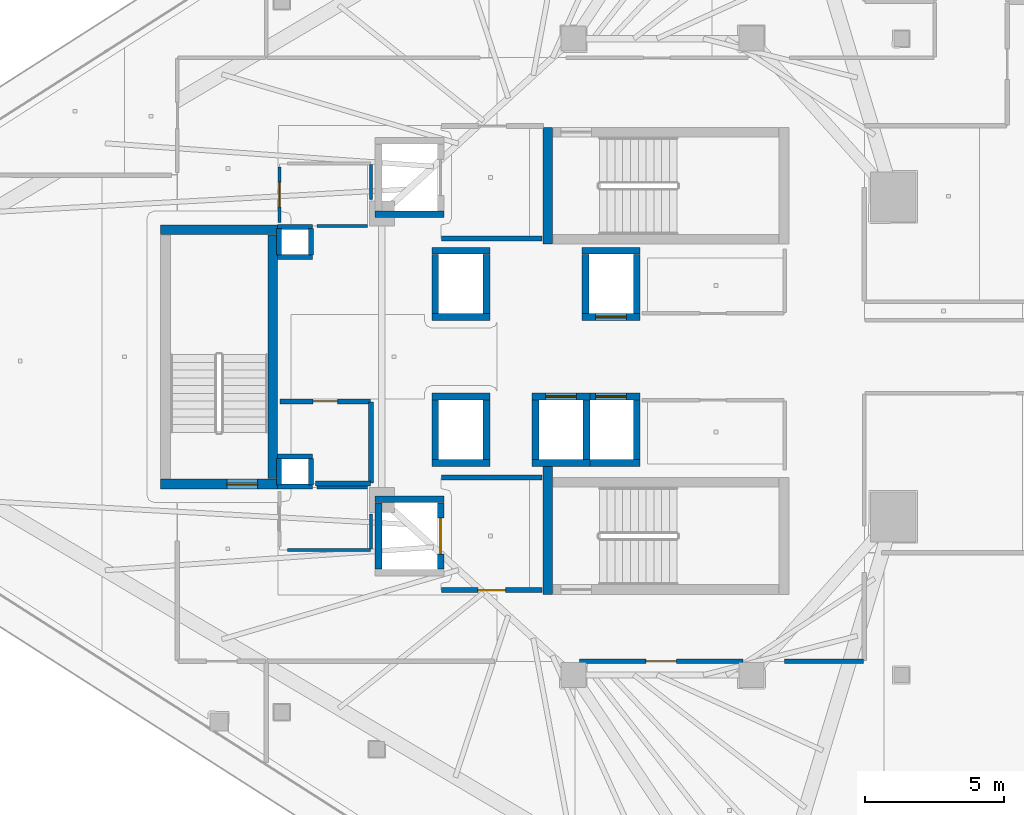
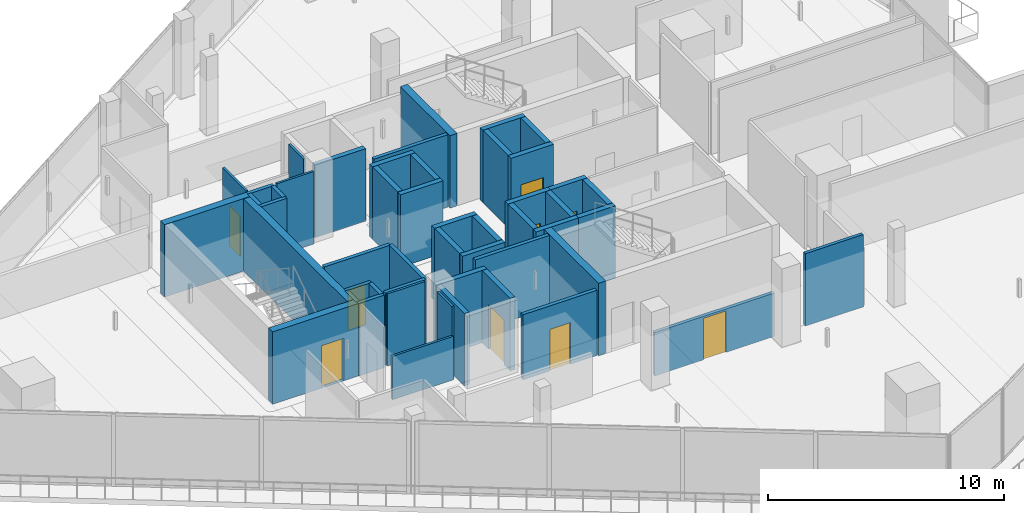
# One storey, part 25 of 34: 50 walls, 9 doors, 9 openings.
"""IFC4 building model written with IfcOpenShell, lengths in metres."""

from ifc_helpers import new_model, si_unit, direction, frame, frame_2d, origin, place, context, subcontext, project, spatial, rectangle, extrude, material, layer, layer_set, type_object, element, fill, save


model = new_model("IFC4")

# Units and contexts
model_context = context("Model", 3, precision=1e-05, world=origin(), true_north=direction((0.0, 1.0)))
body_context = subcontext(model_context, "Body", "Model", "MODEL_VIEW")
ifc_project = project(units=[si_unit("LENGTHUNIT", "METRE"), si_unit("AREAUNIT", "SQUARE_METRE"), si_unit("VOLUMEUNIT", "CUBIC_METRE"), si_unit("PLANEANGLEUNIT", "RADIAN"), si_unit("MASSUNIT", "GRAM", prefix="KILO")], contexts=[model_context])

# Site, building, storey
site_placement = place(None, origin())
site = spatial("IfcSite", under=ifc_project, at=site_placement, CompositionType="ELEMENT")
building_placement = place(site_placement, origin())
building = spatial("IfcBuilding", under=site, at=building_placement, Name="Qorvath Tower", CompositionType="ELEMENT")
storey_placement = place(building_placement, frame((0.0, 0.0, 245.550048828125)))
storey = spatial("IfcBuildingStorey", under=building, at=storey_placement, Name="L57", CompositionType="ELEMENT", Elevation=245.550048828125)

# Walls
ifc_material_1 = material(Name="Gypsum shaftliner on steel studs", Category="steel")
ifc_layer_1 = layer(ifc_material_1, 0.179931640625)
ifc_layer_set_1 = layer_set([ifc_layer_1], Name="FW-LOBBY")
wall_type_1 = type_object("IfcWallType", Name="FW-LOBBY", PredefinedType="PARTITIONING", material=ifc_layer_set_1)
for number, where, z_axis, x_axis, name in (
    (1, (-32.989990234375, 3.594970703125, 0.0), (0.0, 0.0, 1.0), (-1.0, 0.0, 0.0), "MEP Riser Shaft Enclosure Wall N-L57-S"),
    (2, (-34.260009765625, 4.675048828125, 0.0), (0.0, 0.0, 1.0), (1.0, 0.0, 0.0), "MEP Riser Shaft Enclosure Wall N-L57-N"),
):
    element("IfcWall", number, at=place(storey_placement, frame(where, z_axis=z_axis, x_axis=x_axis)), inside=storey, type_object=wall_type_1, Name=name, PredefinedType="PARTITIONING", context=body_context, shape_type="SweptSolid", body=[
        extrude(rectangle(XDim=1.27001953125, YDim=0.179931640625, at=frame_2d((0.635009765625, 0.0))), origin(), (0.0, 0.0, 1.0), 3.75),
    ])
for number, where, z_axis, x_axis, name in (
    (3, (-34.205078125, 3.659912109375, 0.0), (0.0, 0.0, 1.0), (0.0, 1.0, 0.0), "MEP Riser Shaft Enclosure Wall N-L57-W"),
    (4, (-33.044921875, 4.610107421875, 0.0), (0.0, 0.0, 1.0), (0.0, -1.0, 0.0), "MEP Riser Shaft Enclosure Wall N-L57-E"),
):
    element("IfcWall", number, at=place(storey_placement, frame(where, z_axis=z_axis, x_axis=x_axis)), inside=storey, type_object=wall_type_1, Name=name, PredefinedType="PARTITIONING", context=body_context, shape_type="SweptSolid", body=[
        extrude(rectangle(XDim=0.9501953125, YDim=0.179931640625, at=frame_2d((0.47509765625, 0.0))), origin(), (0.0, 0.0, 1.0), 3.75),
    ])
for number, where, z_axis, x_axis, name in (
    (5, (-32.989990234375, -4.675048828125, 0.0), (0.0, 0.0, 1.0), (-1.0, 0.0, 0.0), "MEP Riser Shaft Enclosure Wall S-L57-S"),
    (6, (-34.260009765625, -3.594970703125, 0.0), (0.0, 0.0, 1.0), (1.0, 0.0, 0.0), "MEP Riser Shaft Enclosure Wall S-L57-N"),
):
    element("IfcWall", number, at=place(storey_placement, frame(where, z_axis=z_axis, x_axis=x_axis)), inside=storey, type_object=wall_type_1, Name=name, PredefinedType="PARTITIONING", context=body_context, shape_type="SweptSolid", body=[
        extrude(rectangle(XDim=1.27001953125, YDim=0.179931640625, at=frame_2d((0.635009765625, 0.0))), origin(), (0.0, 0.0, 1.0), 3.75),
    ])
for number, where, z_axis, x_axis, name in (
    (7, (-34.205078125, -4.610107421875, 0.0), (0.0, 0.0, 1.0), (0.0, 1.0, 0.0), "MEP Riser Shaft Enclosure Wall S-L57-W"),
    (8, (-33.044921875, -3.659912109375, 0.0), (0.0, 0.0, 1.0), (0.0, -1.0, 0.0), "MEP Riser Shaft Enclosure Wall S-L57-E"),
):
    element("IfcWall", number, at=place(storey_placement, frame(where, z_axis=z_axis, x_axis=x_axis)), inside=storey, type_object=wall_type_1, Name=name, PredefinedType="PARTITIONING", context=body_context, shape_type="SweptSolid", body=[
        extrude(rectangle(XDim=0.9501953125, YDim=0.179931640625, at=frame_2d((0.47509765625, 0.0))), origin(), (0.0, 0.0, 1.0), 3.75),
    ])
wall_1_placement = place(storey_placement, frame((-28.35498046875, 4.25, 0.0), z_axis=(0.0, 0.0, 1.0), x_axis=(1.0, 0.0, 0.0)))
element("IfcWall", 9, at=wall_1_placement, inside=storey, type_object=wall_type_1, Name="Interior Partition IW-T1-L57-001", PredefinedType="PARTITIONING", context=body_context, shape_type="SweptSolid", body=[
    extrude(rectangle(XDim=3.6220703125, YDim=0.179931640625, at=frame_2d((1.81103515625, 0.0))), origin(), (0.0, 0.0, 1.0), 3.75),
])

# Wall, opening, door
wall_2_placement = place(storey_placement, frame((-28.35498046875, -8.39990234375, 0.0), z_axis=(0.0, 0.0, 1.0), x_axis=(1.0, 0.0, 0.0)))
wall_2 = element("IfcWall", 10, at=wall_2_placement, inside=storey, type_object=wall_type_1, Name="Interior Partition IW-T1-L57-003", PredefinedType="PARTITIONING", context=body_context, shape_type="SweptSolid", body=[
    extrude(rectangle(XDim=3.6220703125, YDim=0.179931640625, at=frame_2d((1.81103515625, 0.0))), origin(), (0.0, 0.0, 1.0), 3.368896484375),
])
opening_1_placement = place(wall_2_placement, frame((1.31103515625, 0.0, 0.0)))
opening_1 = element("IfcOpeningElement", 11, at=opening_1_placement, cuts=wall_2, Name="Opening D-T1-L57-12", PredefinedType="OPENING", context=body_context, shape_type="SweptSolid", body=[
    extrude(rectangle(XDim=1.0, YDim=2.14990234375, at=frame_2d((0.5, 1.074951171875))), frame((0.0, 0.10009765625, 0.0), z_axis=(0.0, -1.0, 0.0), x_axis=(1.0, 0.0, 0.0)), (0.0, 0.0, 1.0), 0.199951171875),
])
ifc_material_2 = material(Name="Painted galvanised hollow metal", Category="steel")
door_type_1 = type_object("IfcDoorType", Name="FD-60", OperationType="NOTDEFINED", PredefinedType="DOOR", material=ifc_material_2)
door_1_placement = place(opening_1_placement, origin())
door_1 = element("IfcDoor", 12, at=door_1_placement, inside=storey, type_object=door_type_1, Name="Lobby Fire Service Elevator South Door D-T1-L57-12", OperationType="SINGLE_SWING_LEFT", OverallHeight=2.14990234375, OverallWidth=1.0, PredefinedType="DOOR", context=body_context, shape_type="SweptSolid", body=[
    extrude(rectangle(XDim=1.0, YDim=2.14990234375, at=frame_2d((0.5, 1.074951171875))), frame((0.0, 0.02490234375, 0.0), z_axis=(0.0, -1.0, 0.0), x_axis=(1.0, 0.0, 0.0)), (0.0, 0.0, 1.0), 0.050048828125),
])
fill(opening_1, door_1)

# Walls
wall_3_placement = place(storey_placement, frame((-24.73291015625, -4.35009765625, 0.0), z_axis=(0.0, 0.0, 1.0), x_axis=(-1.0, 0.0, 0.0)))
element("IfcWall", 13, at=wall_3_placement, inside=storey, type_object=wall_type_1, Name="Interior Partition IW-T1-L57-004", PredefinedType="PARTITIONING", context=body_context, shape_type="SweptSolid", body=[
    extrude(rectangle(XDim=3.6220703125, YDim=0.179931640625, at=frame_2d((1.81103515625, 0.0))), origin(), (0.0, 0.0, 1.0), 3.75),
])
wall_4_placement = place(storey_placement, frame((-32.8798828125, -4.56005859375, 0.0), z_axis=(0.0, 0.0, 1.0), x_axis=(1.0, 0.0, 0.0)))
element("IfcWall", 14, at=wall_4_placement, inside=storey, type_object=wall_type_1, Name="Interior Partition IW-T1-L57-017", PredefinedType="PARTITIONING", context=body_context, shape_type="SweptSolid", body=[
    extrude(rectangle(XDim=1.97509765625, YDim=0.179931640625, at=frame_2d((0.987548828125, 0.0))), origin(), (0.0, 0.0, 1.0), 3.75),
])
wall_5_placement = place(storey_placement, frame((-30.8798828125, -4.53515625, 0.0), z_axis=(0.0, 0.0, 1.0), x_axis=(0.0, 1.0, 0.0)))
element("IfcWall", 15, at=wall_5_placement, inside=storey, type_object=wall_type_1, Name="Interior Partition IW-T1-L57-018", PredefinedType="PARTITIONING", context=body_context, shape_type="SweptSolid", body=[
    extrude(rectangle(XDim=2.91015625, YDim=0.179931640625, at=frame_2d((1.455078125, 0.0))), origin(), (0.0, 0.0, 1.0), 3.75),
])

# Wall, opening, door
wall_6_placement = place(storey_placement, frame((-30.90478515625, -1.60009765625, 0.0), z_axis=(0.0, 0.0, 1.0), x_axis=(-1.0, 0.0, 0.0)))
wall_6 = element("IfcWall", 16, at=wall_6_placement, inside=storey, type_object=wall_type_1, Name="Interior Partition IW-T1-L57-019", PredefinedType="PARTITIONING", context=body_context, shape_type="SweptSolid", body=[
    extrude(rectangle(XDim=3.25, YDim=0.179931640625, at=frame_2d((1.625, 0.0))), origin(), (0.0, 0.0, 1.0), 3.75),
])
opening_2_placement = place(wall_6_placement, frame((1.18505859375, 0.0, 0.0)))
opening_2 = element("IfcOpeningElement", 17, at=opening_2_placement, cuts=wall_6, Name="Opening D-T1-L57-03", PredefinedType="OPENING", context=body_context, shape_type="SweptSolid", body=[
    extrude(rectangle(XDim=0.8798828125, YDim=2.10009765625, at=frame_2d((0.43994140625, 1.050048828125))), frame((0.0, 0.10009765625, 0.0), z_axis=(0.0, -1.0, 0.0), x_axis=(1.0, 0.0, 0.0)), (0.0, 0.0, 1.0), 0.199951171875),
])
ifc_material_3 = material(Name="Painted galvanised hollow metal", Category="steel")
door_type_2 = type_object("IfcDoorType", Name="FD-60N", OperationType="NOTDEFINED", PredefinedType="DOOR", material=ifc_material_3)
door_2_placement = place(opening_2_placement, origin())
door_2 = element("IfcDoor", 18, at=door_2_placement, inside=storey, type_object=door_type_2, Name="Core electrical and cleaner room L57 Door D-T1-L57-03", OperationType="SINGLE_SWING_RIGHT", OverallHeight=2.10009765625, OverallWidth=0.8798828125, PredefinedType="DOOR", context=body_context, shape_type="SweptSolid", body=[
    extrude(rectangle(XDim=0.8798828125, YDim=2.10009765625, at=frame_2d((0.43994140625, 1.050048828125))), frame((0.0, 0.02490234375, 0.0), z_axis=(0.0, -1.0, 0.0), x_axis=(1.0, 0.0, 0.0)), (0.0, 0.0, 1.0), 0.050048828125),
])
fill(opening_2, door_2)

# Wall
ifc_material_4 = material(Name="Double acoustic gypsum board on steel studs", Category="steel")
ifc_layer_2 = layer(ifc_material_4, 0.159912109375)
ifc_layer_set_2 = layer_set([ifc_layer_2], Name="IW-ACOUSTIC-160")
wall_type_2 = type_object("IfcWallType", Name="IW-ACOUSTIC-160", PredefinedType="PARTITIONING", material=ifc_layer_set_2)
wall_7_placement = place(storey_placement, frame((-13.1669921875, -10.9580078125, 0.0), z_axis=(0.0, 0.0, 1.0), x_axis=(-1.0, 0.0, 0.0)))
element("IfcWall", 19, at=wall_7_placement, inside=storey, type_object=wall_type_2, Name="Interior Partition IW-T1-L57-029", PredefinedType="PARTITIONING", context=body_context, shape_type="SweptSolid", body=[
    extrude(rectangle(XDim=2.841552734375, YDim=0.159912109375, at=frame_2d((1.4208984375, 0.0))), origin(), (0.0, 0.0, 1.0), 3.75),
])

# Wall, opening, door
wall_8_placement = place(storey_placement, frame((-17.509033203125, -10.9580078125, 0.0), z_axis=(0.0, 0.0, 1.0), x_axis=(-1.0, 0.0, 0.0)))
wall_8 = element("IfcWall", 20, at=wall_8_placement, inside=storey, type_object=wall_type_2, Name="Interior Partition IW-T1-L57-030", PredefinedType="PARTITIONING", context=body_context, shape_type="SweptSolid", body=[
    extrude(rectangle(XDim=5.87890625, YDim=0.159912109375, at=frame_2d((2.939453125, 0.0))), origin(), (0.0, 0.0, 1.0), 2.25),
])
opening_3_placement = place(wall_8_placement, frame((2.389404296875, 0.0, 0.0)))
opening_3 = element("IfcOpeningElement", 21, at=opening_3_placement, cuts=wall_8, Name="Opening D-T1-L57-05", PredefinedType="OPENING", context=body_context, shape_type="SweptSolid", body=[
    extrude(rectangle(XDim=1.10009765625, YDim=2.14990234375, at=frame_2d((0.550048828125, 1.074951171875))), frame((0.0, 0.08984375, 0.0), z_axis=(0.0, -1.0, 0.0), x_axis=(1.0, 0.0, 0.0)), (0.0, 0.0, 1.0), 0.179931640625),
])
ifc_material_5 = material(Name="Anodised aluminium acoustic framed glass", Category="aluminium")
door_type_3 = type_object("IfcDoorType", Name="D-03", OperationType="NOTDEFINED", PredefinedType="DOOR", material=ifc_material_5)
door_3_placement = place(opening_3_placement, origin())
door_3 = element("IfcDoor", 22, at=door_3_placement, inside=storey, type_object=door_type_3, Name="L57-02 Client Services Office Door D-T1-L57-05", OperationType="SINGLE_SWING_RIGHT", OverallHeight=2.14990234375, OverallWidth=1.10009765625, PredefinedType="DOOR", context=body_context, shape_type="SweptSolid", body=[
    extrude(rectangle(XDim=1.10009765625, YDim=2.14990234375, at=frame_2d((0.550048828125, 1.074951171875))), frame((0.0, 0.02490234375, 0.0), z_axis=(0.0, -1.0, 0.0), x_axis=(1.0, 0.0, 0.0)), (0.0, 0.0, 1.0), 0.050048828125),
])
fill(opening_3, door_3)

ifc_material_6 = material(Name="Moisture-resistant cement board on metal studs", Category="gypsum")
ifc_layer_3 = layer(ifc_material_6, 0.110107421875)
ifc_layer_set_3 = layer_set([ifc_layer_3], Name="IW-WC-110")
wall_type_3 = type_object("IfcWallType", Name="IW-WC-110", PredefinedType="PARTITIONING", material=ifc_layer_set_3)
wall_9_placement = place(storey_placement, frame((-34.179931640625, 6.8251953125, 0.0), z_axis=(0.0, 0.0, 1.0), x_axis=(0.0, -1.0, 0.0)))
wall_9 = element("IfcWall", 23, at=wall_9_placement, inside=storey, type_object=wall_type_3, Name="Interior Partition IW-T1-L57-005", PredefinedType="PARTITIONING", context=body_context, shape_type="SweptSolid", body=[
    extrude(rectangle(XDim=1.985107421875, YDim=0.110107421875, at=frame_2d((0.99267578125, 0.0))), origin(), (0.0, 0.0, 1.0), 3.75),
])
opening_4_placement = place(wall_9_placement, frame((0.552490234375, 0.0, 0.0)))
opening_4 = element("IfcOpeningElement", 24, at=opening_4_placement, cuts=wall_9, Name="Opening D-T1-L57-13", PredefinedType="OPENING", context=body_context, shape_type="SweptSolid", body=[
    extrude(rectangle(XDim=0.8798828125, YDim=2.10009765625, at=frame_2d((0.43994140625, 1.050048828125))), frame((0.0, 0.06494140625, 0.0), z_axis=(0.0, -1.0, 0.0), x_axis=(1.0, 0.0, 0.0)), (0.0, 0.0, 1.0), 0.130126953125),
])
ifc_material_7 = material(Name="Solid-core oak with acoustic drop seal", Category="wood")
door_type_4 = type_object("IfcDoorType", Name="D-02", OperationType="NOTDEFINED", PredefinedType="DOOR", material=ifc_material_7)
door_4_placement = place(opening_4_placement, origin())
door_4 = element("IfcDoor", 25, at=door_4_placement, inside=storey, type_object=door_type_4, Name="Accessible WC North L57 Door D-T1-L57-13", OperationType="SINGLE_SWING_RIGHT", OverallHeight=2.10009765625, OverallWidth=0.8798828125, PredefinedType="DOOR", context=body_context, shape_type="SweptSolid", body=[
    extrude(rectangle(XDim=0.8798828125, YDim=2.10009765625, at=frame_2d((0.43994140625, 1.050048828125))), frame((0.0, 0.02490234375, 0.0), z_axis=(0.0, -1.0, 0.0), x_axis=(1.0, 0.0, 0.0)), (0.0, 0.0, 1.0), 0.050048828125),
])
fill(opening_4, door_4)

# Walls
wall_10_placement = place(storey_placement, frame((-32.827392578125, 4.699951171875, 0.0), z_axis=(0.0, 0.0, 1.0), x_axis=(1.0, 0.0, 0.0)))
element("IfcWall", 26, at=wall_10_placement, inside=storey, type_object=wall_type_3, Name="Interior Partition IW-T1-L57-006", PredefinedType="PARTITIONING", context=body_context, shape_type="SweptSolid", body=[
    extrude(rectangle(XDim=1.8125, YDim=0.110107421875, at=frame_2d((0.90625, 0.0))), origin(), (0.0, 0.0, 1.0), 3.75),
])
wall_11_placement = place(storey_placement, frame((-30.8798828125, 5.6650390625, 0.0), z_axis=(0.0, 0.0, 1.0), x_axis=(0.0, 1.0, 0.0)))
element("IfcWall", 27, at=wall_11_placement, inside=storey, type_object=wall_type_3, Name="Interior Partition IW-T1-L57-007", PredefinedType="PARTITIONING", context=body_context, shape_type="SweptSolid", body=[
    extrude(rectangle(XDim=1.260009765625, YDim=0.110107421875, at=frame_2d((0.6298828125, 0.0))), origin(), (0.0, 0.0, 1.0), 3.75),
])
wall_12_placement = place(storey_placement, frame((-33.892333984375, -6.949951171875, 0.0), z_axis=(0.0, 0.0, 1.0), x_axis=(1.0, 0.0, 0.0)))
element("IfcWall", 28, at=wall_12_placement, inside=storey, type_object=wall_type_3, Name="Interior Partition IW-T1-L57-009", PredefinedType="PARTITIONING", context=body_context, shape_type="SweptSolid", body=[
    extrude(rectangle(XDim=2.987548828125, YDim=0.110107421875, at=frame_2d((1.49365234375, 0.0))), origin(), (0.0, 0.0, 1.0), 2.25),
])
wall_13_placement = place(storey_placement, frame((-30.8798828125, -6.925048828125, 0.0), z_axis=(0.0, 0.0, 1.0), x_axis=(0.0, 1.0, 0.0)))
element("IfcWall", 29, at=wall_13_placement, inside=storey, type_object=wall_type_3, Name="Interior Partition IW-T1-L57-010", PredefinedType="PARTITIONING", context=body_context, shape_type="SweptSolid", body=[
    extrude(rectangle(XDim=1.260009765625, YDim=0.110107421875, at=frame_2d((0.6298828125, 0.0))), origin(), (0.0, 0.0, 1.0), 3.75),
])
wall_14_placement = place(storey_placement, frame((-31.014892578125, -4.699951171875, 0.0), z_axis=(0.0, 0.0, 1.0), x_axis=(-1.0, 0.0, 0.0)))
element("IfcWall", 30, at=wall_14_placement, inside=storey, type_object=wall_type_3, Name="Interior Partition IW-T1-L57-011", PredefinedType="PARTITIONING", context=body_context, shape_type="SweptSolid", body=[
    extrude(rectangle(XDim=1.8125, YDim=0.110107421875, at=frame_2d((0.90625, 0.0))), origin(), (0.0, 0.0, 1.0), 3.75),
])
ifc_material_8 = material(Name="Concrete C60/75", Category="concrete")
ifc_layer_4 = layer(ifc_material_8, 0.260009765625)
ifc_layer_set_4 = layer_set([ifc_layer_4], Name="SW-SHAFT")
wall_type_4 = type_object("IfcWallType", Name="SW-SHAFT", PredefinedType="SHEAR", material=ifc_layer_set_4)
for number, where, z_axis, x_axis, name in (
    (31, (-28.260009765625, 5.1298828125, 0.0), (0.0, 0.0, 1.0), (-1.0, 0.0, 0.0), "Hoistway Wall FSAE-1 L57 S"),
    (32, (-30.739990234375, -5.1298828125, 0.0), (0.0, 0.0, 1.0), (1.0, 0.0, 0.0), "Hoistway Wall FSAE-2 L57 N"),
):
    element("IfcWall", number, at=place(storey_placement, frame(where, z_axis=z_axis, x_axis=x_axis)), inside=storey, type_object=wall_type_4, Name=name, PredefinedType="SHEAR", context=body_context, shape_type="SweptSolid", body=[
        extrude(rectangle(XDim=2.47998046875, YDim=0.239990234375, at=frame_2d((1.239990234375, 0.0))), origin(), (0.0, 0.0, 1.0), 3.75),
    ])
wall_15_placement = place(storey_placement, frame((-30.6201171875, -7.637939453125, 0.0), z_axis=(0.0, 0.0, 1.0), x_axis=(0.0, 1.0, 0.0)))
element("IfcWall", 33, at=wall_15_placement, inside=storey, type_object=wall_type_4, Name="Hoistway Wall FSAE-2 L57 W", PredefinedType="SHEAR", context=body_context, shape_type="SweptSolid", body=[
    extrude(rectangle(XDim=2.3759765625, YDim=0.239990234375, at=frame_2d((1.18798828125, 0.0))), origin(), (0.0, 0.0, 1.0), 3.75),
])

# Wall, opening, door
wall_16_placement = place(storey_placement, frame((-28.3798828125, -5.261962890625, 0.0), z_axis=(0.0, 0.0, 1.0), x_axis=(0.0, -1.0, 0.0)))
wall_16 = element("IfcWall", 34, at=wall_16_placement, inside=storey, type_object=wall_type_4, Name="Hoistway Wall FSAE-2 L57 E", PredefinedType="SHEAR", context=body_context, shape_type="SweptSolid", body=[
    extrude(rectangle(XDim=2.3759765625, YDim=0.239990234375, at=frame_2d((1.18798828125, 0.0))), origin(), (0.0, 0.0, 1.0), 3.75),
])
opening_5_placement = place(wall_16_placement, frame((0.5380859375, 0.0, 0.0)))
opening_5 = element("IfcOpeningElement", 35, at=opening_5_placement, cuts=wall_16, Name="Opening LD-FSAE-2-L57", PredefinedType="OPENING", context=body_context, shape_type="SweptSolid", body=[
    extrude(rectangle(XDim=1.300048828125, YDim=2.300048828125, at=frame_2d((0.64990234375, 1.14990234375))), frame((0.0, 0.1298828125, 0.0), z_axis=(0.0, -1.0, 0.0), x_axis=(1.0, 0.0, 0.0)), (0.0, 0.0, 1.0), 0.260009765625),
])
ifc_material_9 = material(Name="Brushed stainless steel AISI 316", Category="steel")
door_type_5 = type_object("IfcDoorType", Name="LD-02", OperationType="NOTDEFINED", PredefinedType="DOOR", material=ifc_material_9)
door_5_placement = place(opening_5_placement, origin())
door_5 = element("IfcDoor", 36, at=door_5_placement, inside=storey, type_object=door_type_5, Name="Elevator Landing Sliding Door LD-FSAE-2-L57", OperationType="DOUBLE_DOOR_SLIDING", OverallHeight=2.300048828125, OverallWidth=1.300048828125, PredefinedType="DOOR", context=body_context, shape_type="SweptSolid", body=[
    extrude(rectangle(XDim=1.300048828125, YDim=2.300048828125, at=frame_2d((0.64990234375, 1.14990234375))), frame((0.0, 0.02490234375, 0.0), z_axis=(0.0, -1.0, 0.0), x_axis=(1.0, 0.0, 0.0)), (0.0, 0.0, 1.0), 0.050048828125),
])
fill(opening_5, door_5)

# Walls
for number, where, z_axis, x_axis, name in (
    (37, (-26.610107421875, 1.429931640625, 0.0), (0.0, 0.0, 1.0), (-1.0, 0.0, 0.0), "Hoistway Wall PS-1 L57 S"),
    (38, (-28.68994140625, 3.820068359375, 0.0), (0.0, 0.0, 1.0), (1.0, 0.0, 0.0), "Hoistway Wall PS-1 L57 N"),
):
    element("IfcWall", number, at=place(storey_placement, frame(where, z_axis=z_axis, x_axis=x_axis)), inside=storey, type_object=wall_type_4, Name=name, PredefinedType="SHEAR", context=body_context, shape_type="SweptSolid", body=[
        extrude(rectangle(XDim=2.079833984375, YDim=0.239990234375, at=frame_2d((1.0400390625, 0.0))), origin(), (0.0, 0.0, 1.0), 3.75),
    ])
for number, where, z_axis, x_axis, name in (
    (39, (-28.570068359375, 1.56201171875, 0.0), (0.0, 0.0, 1.0), (0.0, 1.0, 0.0), "Hoistway Wall PS-1 L57 W"),
    (40, (-26.72998046875, 3.68798828125, 0.0), (0.0, 0.0, 1.0), (0.0, -1.0, 0.0), "Hoistway Wall PS-1 L57 E"),
):
    element("IfcWall", number, at=place(storey_placement, frame(where, z_axis=z_axis, x_axis=x_axis)), inside=storey, type_object=wall_type_4, Name=name, PredefinedType="SHEAR", context=body_context, shape_type="SweptSolid", body=[
        extrude(rectangle(XDim=2.1259765625, YDim=0.239990234375, at=frame_2d((1.06298828125, 0.0))), origin(), (0.0, 0.0, 1.0), 3.75),
    ])

# Wall, opening, door
wall_17_placement = place(storey_placement, frame((-21.2099609375, 1.429931640625, 0.0), z_axis=(0.0, 0.0, 1.0), x_axis=(-1.0, 0.0, 0.0)))
wall_17 = element("IfcWall", 41, at=wall_17_placement, inside=storey, type_object=wall_type_4, Name="Hoistway Wall PU-1 L57 S", PredefinedType="SHEAR", context=body_context, shape_type="SweptSolid", body=[
    extrude(rectangle(XDim=2.080078125, YDim=0.239990234375, at=frame_2d((1.0400390625, 0.0))), origin(), (0.0, 0.0, 1.0), 3.75),
])
opening_6_placement = place(wall_17_placement, frame((0.489990234375, 0.0, 0.0)))
opening_6 = element("IfcOpeningElement", 42, at=opening_6_placement, cuts=wall_17, Name="Opening LD-PU-1-L57", PredefinedType="OPENING", context=body_context, shape_type="SweptSolid", body=[
    extrude(rectangle(XDim=1.10009765625, YDim=2.199951171875, at=frame_2d((0.550048828125, 1.10009765625))), frame((0.0, 0.1298828125, 0.0), z_axis=(0.0, -1.0, 0.0), x_axis=(1.0, 0.0, 0.0)), (0.0, 0.0, 1.0), 0.260009765625),
])
ifc_material_10 = material(Name="Brushed stainless steel AISI 316", Category="steel")
door_type_6 = type_object("IfcDoorType", Name="LD-01", OperationType="NOTDEFINED", PredefinedType="DOOR", material=ifc_material_10)
door_6_placement = place(opening_6_placement, origin())
door_6 = element("IfcDoor", 43, at=door_6_placement, inside=storey, type_object=door_type_6, Name="Elevator Landing Sliding Door LD-PU-1-L57", OperationType="DOUBLE_DOOR_SLIDING", OverallHeight=2.199951171875, OverallWidth=1.10009765625, PredefinedType="DOOR", context=body_context, shape_type="SweptSolid", body=[
    extrude(rectangle(XDim=1.10009765625, YDim=2.199951171875, at=frame_2d((0.550048828125, 1.10009765625))), frame((0.0, 0.02490234375, 0.0), z_axis=(0.0, -1.0, 0.0), x_axis=(1.0, 0.0, 0.0)), (0.0, 0.0, 1.0), 0.050048828125),
])
fill(opening_6, door_6)

# Walls
wall_18_placement = place(storey_placement, frame((-23.2900390625, 3.820068359375, 0.0), z_axis=(0.0, 0.0, 1.0), x_axis=(1.0, 0.0, 0.0)))
element("IfcWall", 44, at=wall_18_placement, inside=storey, type_object=wall_type_4, Name="Hoistway Wall PU-1 L57 N", PredefinedType="SHEAR", context=body_context, shape_type="SweptSolid", body=[
    extrude(rectangle(XDim=2.080078125, YDim=0.239990234375, at=frame_2d((1.0400390625, 0.0))), origin(), (0.0, 0.0, 1.0), 3.75),
])
for number, where, z_axis, x_axis, name in (
    (45, (-23.169921875, 1.56201171875, 0.0), (0.0, 0.0, 1.0), (0.0, 1.0, 0.0), "Hoistway Wall PU-1 L57 W"),
    (46, (-21.330078125, 3.68798828125, 0.0), (0.0, 0.0, 1.0), (0.0, -1.0, 0.0), "Hoistway Wall PU-1 L57 E"),
):
    element("IfcWall", number, at=place(storey_placement, frame(where, z_axis=z_axis, x_axis=x_axis)), inside=storey, type_object=wall_type_4, Name=name, PredefinedType="SHEAR", context=body_context, shape_type="SweptSolid", body=[
        extrude(rectangle(XDim=2.1259765625, YDim=0.239990234375, at=frame_2d((1.06298828125, 0.0))), origin(), (0.0, 0.0, 1.0), 3.75),
    ])
for number, where, z_axis, x_axis, name in (
    (47, (-26.610107421875, -3.820068359375, 0.0), (0.0, 0.0, 1.0), (-1.0, 0.0, 0.0), "Hoistway Wall PS-2 L57 S"),
    (48, (-28.68994140625, -1.429931640625, 0.0), (0.0, 0.0, 1.0), (1.0, 0.0, 0.0), "Hoistway Wall PS-2 L57 N"),
):
    element("IfcWall", number, at=place(storey_placement, frame(where, z_axis=z_axis, x_axis=x_axis)), inside=storey, type_object=wall_type_4, Name=name, PredefinedType="SHEAR", context=body_context, shape_type="SweptSolid", body=[
        extrude(rectangle(XDim=2.079833984375, YDim=0.239990234375, at=frame_2d((1.0400390625, 0.0))), origin(), (0.0, 0.0, 1.0), 3.75),
    ])
for number, where, z_axis, x_axis, name in (
    (49, (-28.570068359375, -3.68798828125, 0.0), (0.0, 0.0, 1.0), (0.0, 1.0, 0.0), "Hoistway Wall PS-2 L57 W"),
    (50, (-26.72998046875, -1.56201171875, 0.0), (0.0, 0.0, 1.0), (0.0, -1.0, 0.0), "Hoistway Wall PS-2 L57 E"),
):
    element("IfcWall", number, at=place(storey_placement, frame(where, z_axis=z_axis, x_axis=x_axis)), inside=storey, type_object=wall_type_4, Name=name, PredefinedType="SHEAR", context=body_context, shape_type="SweptSolid", body=[
        extrude(rectangle(XDim=2.1259765625, YDim=0.239990234375, at=frame_2d((1.06298828125, 0.0))), origin(), (0.0, 0.0, 1.0), 3.75),
    ])
wall_19_placement = place(storey_placement, frame((-23.010009765625, -3.820068359375, 0.0), z_axis=(0.0, 0.0, 1.0), x_axis=(-1.0, 0.0, 0.0)))
element("IfcWall", 51, at=wall_19_placement, inside=storey, type_object=wall_type_4, Name="Hoistway Wall PU-2 L57 S", PredefinedType="SHEAR", context=body_context, shape_type="SweptSolid", body=[
    extrude(rectangle(XDim=2.080078125, YDim=0.239990234375, at=frame_2d((1.0400390625, 0.0))), origin(), (0.0, 0.0, 1.0), 3.75),
])

# Wall, opening, door
wall_20_placement = place(storey_placement, frame((-25.090087890625, -1.429931640625, 0.0), z_axis=(0.0, 0.0, 1.0), x_axis=(1.0, 0.0, 0.0)))
wall_20 = element("IfcWall", 52, at=wall_20_placement, inside=storey, type_object=wall_type_4, Name="Hoistway Wall PU-2 L57 N", PredefinedType="SHEAR", context=body_context, shape_type="SweptSolid", body=[
    extrude(rectangle(XDim=2.080078125, YDim=0.239990234375, at=frame_2d((1.0400390625, 0.0))), origin(), (0.0, 0.0, 1.0), 3.75),
])
opening_7_placement = place(wall_20_placement, frame((0.489990234375, 0.0, 0.0)))
opening_7 = element("IfcOpeningElement", 53, at=opening_7_placement, cuts=wall_20, Name="Opening LD-PU-2-L57", PredefinedType="OPENING", context=body_context, shape_type="SweptSolid", body=[
    extrude(rectangle(XDim=1.10009765625, YDim=2.199951171875, at=frame_2d((0.550048828125, 1.10009765625))), frame((0.0, 0.1298828125, 0.0), z_axis=(0.0, -1.0, 0.0), x_axis=(1.0, 0.0, 0.0)), (0.0, 0.0, 1.0), 0.260009765625),
])
door_7_placement = place(opening_7_placement, origin())
door_7 = element("IfcDoor", 54, at=door_7_placement, inside=storey, type_object=door_type_6, Name="Elevator Landing Sliding Door LD-PU-2-L57", OperationType="DOUBLE_DOOR_SLIDING", OverallHeight=2.199951171875, OverallWidth=1.10009765625, PredefinedType="DOOR", context=body_context, shape_type="SweptSolid", body=[
    extrude(rectangle(XDim=1.10009765625, YDim=2.199951171875, at=frame_2d((0.550048828125, 1.10009765625))), frame((0.0, 0.02490234375, 0.0), z_axis=(0.0, -1.0, 0.0), x_axis=(1.0, 0.0, 0.0)), (0.0, 0.0, 1.0), 0.050048828125),
])
fill(opening_7, door_7)

# Walls
for number, where, z_axis, x_axis, name in (
    (55, (-24.969970703125, -3.68798828125, 0.0), (0.0, 0.0, 1.0), (0.0, 1.0, 0.0), "Hoistway Wall PU-2 L57 W"),
    (56, (-23.1298828125, -1.56201171875, 0.0), (0.0, 0.0, 1.0), (0.0, -1.0, 0.0), "Hoistway Wall PU-2 L57 E"),
):
    element("IfcWall", number, at=place(storey_placement, frame(where, z_axis=z_axis, x_axis=x_axis)), inside=storey, type_object=wall_type_4, Name=name, PredefinedType="SHEAR", context=body_context, shape_type="SweptSolid", body=[
        extrude(rectangle(XDim=2.1259765625, YDim=0.239990234375, at=frame_2d((1.06298828125, 0.0))), origin(), (0.0, 0.0, 1.0), 3.75),
    ])
wall_21_placement = place(storey_placement, frame((-21.2099609375, -3.820068359375, 0.0), z_axis=(0.0, 0.0, 1.0), x_axis=(-1.0, 0.0, 0.0)))
element("IfcWall", 57, at=wall_21_placement, inside=storey, type_object=wall_type_4, Name="Hoistway Wall PU-3 L57 S", PredefinedType="SHEAR", context=body_context, shape_type="SweptSolid", body=[
    extrude(rectangle(XDim=1.800048828125, YDim=0.239990234375, at=frame_2d((0.89990234375, 0.0))), origin(), (0.0, 0.0, 1.0), 3.75),
])

# Wall, opening, door
wall_22_placement = place(storey_placement, frame((-23.010009765625, -1.429931640625, 0.0), z_axis=(0.0, 0.0, 1.0), x_axis=(1.0, 0.0, 0.0)))
wall_22 = element("IfcWall", 58, at=wall_22_placement, inside=storey, type_object=wall_type_4, Name="Hoistway Wall PU-3 L57 N", PredefinedType="SHEAR", context=body_context, shape_type="SweptSolid", body=[
    extrude(rectangle(XDim=1.800048828125, YDim=0.239990234375, at=frame_2d((0.89990234375, 0.0))), origin(), (0.0, 0.0, 1.0), 3.75),
])
opening_8_placement = place(wall_22_placement, frame((0.2099609375, 0.0, 0.0)))
opening_8 = element("IfcOpeningElement", 59, at=opening_8_placement, cuts=wall_22, Name="Opening LD-PU-3-L57", PredefinedType="OPENING", context=body_context, shape_type="SweptSolid", body=[
    extrude(rectangle(XDim=1.10009765625, YDim=2.199951171875, at=frame_2d((0.550048828125, 1.10009765625))), frame((0.0, 0.1298828125, 0.0), z_axis=(0.0, -1.0, 0.0), x_axis=(1.0, 0.0, 0.0)), (0.0, 0.0, 1.0), 0.260009765625),
])
door_8_placement = place(opening_8_placement, origin())
door_8 = element("IfcDoor", 60, at=door_8_placement, inside=storey, type_object=door_type_6, Name="Elevator Landing Sliding Door LD-PU-3-L57", OperationType="DOUBLE_DOOR_SLIDING", OverallHeight=2.199951171875, OverallWidth=1.10009765625, PredefinedType="DOOR", context=body_context, shape_type="SweptSolid", body=[
    extrude(rectangle(XDim=1.10009765625, YDim=2.199951171875, at=frame_2d((0.550048828125, 1.10009765625))), frame((0.0, 0.02490234375, 0.0), z_axis=(0.0, -1.0, 0.0), x_axis=(1.0, 0.0, 0.0)), (0.0, 0.0, 1.0), 0.050048828125),
])
fill(opening_8, door_8)

# Walls
wall_23_placement = place(storey_placement, frame((-21.330078125, -1.56201171875, 0.0), z_axis=(0.0, 0.0, 1.0), x_axis=(0.0, -1.0, 0.0)))
element("IfcWall", 61, at=wall_23_placement, inside=storey, type_object=wall_type_4, Name="Hoistway Wall PU-3 L57 E", PredefinedType="SHEAR", context=body_context, shape_type="SweptSolid", body=[
    extrude(rectangle(XDim=2.1259765625, YDim=0.239990234375, at=frame_2d((1.06298828125, 0.0))), origin(), (0.0, 0.0, 1.0), 3.75),
])
ifc_material_11 = material(Name="Concrete C60/75", Category="concrete")
ifc_layer_5 = layer(ifc_material_11, 0.35009765625)
ifc_layer_set_5 = layer_set([ifc_layer_5], Name="SW-STAIR")
wall_type_5 = type_object("IfcWallType", Name="SW-STAIR", PredefinedType="SHEAR", material=ifc_layer_set_5)
wall_24_placement = place(storey_placement, frame((-24.52490234375, 8.260009765625, 0.0), z_axis=(0.0, 0.0, 1.0), x_axis=(0.0, -1.0, 0.0)))
element("IfcWall", 62, at=wall_24_placement, inside=storey, type_object=wall_type_5, Name="Stair TS1 Shear Wall L57 NEAR", PredefinedType="SHEAR", context=body_context, shape_type="SweptSolid", body=[
    extrude(rectangle(XDim=4.2099609375, YDim=0.35009765625, at=frame_2d((2.10498046875, 0.0))), origin(), (0.0, 0.0, 1.0), 3.75),
])
wall_25_placement = place(storey_placement, frame((-24.52490234375, -3.93994140625, 0.0), z_axis=(0.0, 0.0, 1.0), x_axis=(0.0, -1.0, 0.0)))
element("IfcWall", 63, at=wall_25_placement, inside=storey, type_object=wall_type_5, Name="Stair TS2 Shear Wall L57 NEAR", PredefinedType="SHEAR", context=body_context, shape_type="SweptSolid", body=[
    extrude(rectangle(XDim=4.610107421875, YDim=0.35009765625, at=frame_2d((2.30517578125, 0.0))), origin(), (0.0, 0.0, 1.0), 3.75),
])

# Wall, opening, door
wall_26_placement = place(storey_placement, frame((-38.4599609375, -4.574951171875, 0.0), z_axis=(0.0, 0.0, 1.0), x_axis=(1.0, 0.0, 0.0)))
wall_26 = element("IfcWall", 64, at=wall_26_placement, inside=storey, type_object=wall_type_5, Name="Stair TS3 Shear Wall L57 NEAR", PredefinedType="SHEAR", context=body_context, shape_type="SweptSolid", body=[
    extrude(rectangle(XDim=4.2099609375, YDim=0.35009765625, at=frame_2d((2.10498046875, 0.0))), origin(), (0.0, 0.0, 1.0), 3.75),
])
opening_9_placement = place(wall_26_placement, frame((2.389892578125, 0.0, 0.0)))
opening_9 = element("IfcOpeningElement", 65, at=opening_9_placement, cuts=wall_26, Name="Opening D-TS3-L57", PredefinedType="OPENING", context=body_context, shape_type="SweptSolid", body=[
    extrude(rectangle(XDim=1.10009765625, YDim=2.199951171875, at=frame_2d((0.550048828125, 1.10009765625))), frame((0.0, 0.18505859375, 0.0), z_axis=(0.0, -1.0, 0.0), x_axis=(1.0, 0.0, 0.0)), (0.0, 0.0, 1.0), 0.3701171875),
])
ifc_material_12 = material(Name="Painted galvanised hollow metal", Category="steel")
door_type_7 = type_object("IfcDoorType", Name="FD-90", OperationType="NOTDEFINED", PredefinedType="DOOR", material=ifc_material_12)
door_9_placement = place(opening_9_placement, origin())
door_9 = element("IfcDoor", 66, at=door_9_placement, inside=storey, type_object=door_type_7, Name="Stair TS3 Fire Door L57", OperationType="SINGLE_SWING_RIGHT", OverallHeight=2.199951171875, OverallWidth=1.10009765625, PredefinedType="DOOR", context=body_context, shape_type="SweptSolid", body=[
    extrude(rectangle(XDim=1.10009765625, YDim=2.199951171875, at=frame_2d((0.550048828125, 1.10009765625))), frame((0.0, 0.02490234375, 0.0), z_axis=(0.0, -1.0, 0.0), x_axis=(1.0, 0.0, 0.0)), (0.0, 0.0, 1.0), 0.050048828125),
])
fill(opening_9, door_9)

# Walls
wall_27_placement = place(storey_placement, frame((-34.25, 4.574951171875, 0.0), z_axis=(0.0, 0.0, 1.0), x_axis=(-1.0, 0.0, 0.0)))
element("IfcWall", 67, at=wall_27_placement, inside=storey, type_object=wall_type_5, Name="Stair TS3 Shear Wall L57 FAR", PredefinedType="SHEAR", context=body_context, shape_type="SweptSolid", body=[
    extrude(rectangle(XDim=4.2099609375, YDim=0.35009765625, at=frame_2d((2.10498046875, 0.0))), origin(), (0.0, 0.0, 1.0), 3.75),
])
wall_28_placement = place(storey_placement, frame((-34.425048828125, -4.385009765625, 0.0), z_axis=(0.0, 0.0, 1.0), x_axis=(0.0, 1.0, 0.0)))
element("IfcWall", 68, at=wall_28_placement, inside=storey, type_object=wall_type_5, Name="Stair TS3 Shear Wall L57 LEFT", PredefinedType="SHEAR", context=body_context, shape_type="SweptSolid", body=[
    extrude(rectangle(XDim=8.77001953125, YDim=0.35009765625, at=frame_2d((4.385009765625, 0.0))), origin(), (0.0, 0.0, 1.0), 3.75),
])

save(model, "model.ifc")
